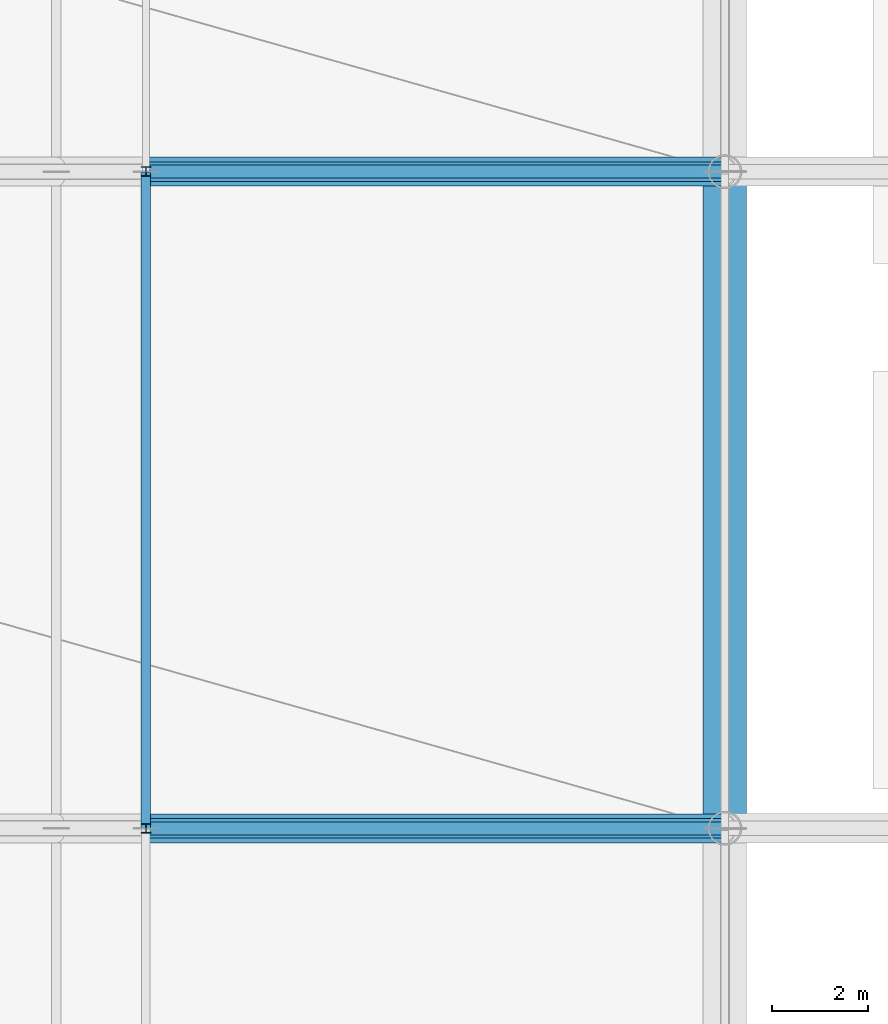
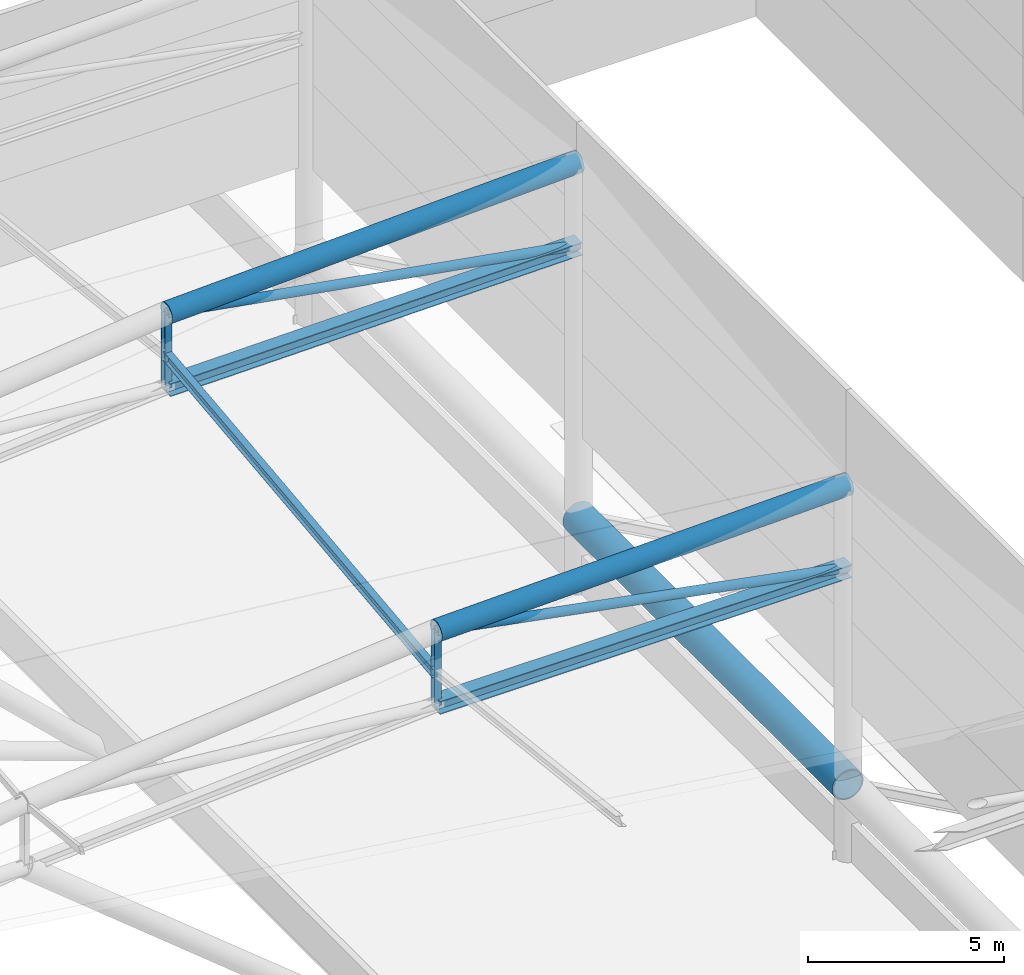
# One storey, part 51 of 113: 9 members, 1 beam.
"""IFC4 building model written with IfcOpenShell, lengths in metres."""

import ifcopenshell
import ifcopenshell.guid

model = None  # the IFC model being written
_history = None  # IfcOwnerHistory: only IFC2X3 demands one
_inside = {}  # id of a spatial element -> (the spatial element, [elements in it])
_under = {}  # id of a project, library or spatial element -> (it, [spatial elements below it])
_declared = {}  # id of a project -> (the project, [libraries it declares])
_typed = {}  # id of a type object -> (the type object, [elements of that type])
_made_of = {}  # id of a material, layer set ... -> (it, [elements and type objects made of it])


def new_model(schema):
    """Start an empty IFC model of exactly this schema.

    Asked for "IFC4X3", IfcOpenShell would pick the latest addendum, in which some entities
    have other attributes; the version numbers below select the first issue.
    IFC2X3 requires an IfcOwnerHistory on every rooted entity: one is made here for all.
    """
    global model, _history
    if schema == "IFC4X3":
        model = ifcopenshell.file(schema_version=(4, 3, 0, 0))
    else:
        model = ifcopenshell.file(schema=schema)
    _inside.clear()
    _under.clear()
    _declared.clear()
    _typed.clear()
    _made_of.clear()
    _history = None
    if model.schema == "IFC2X3":
        org = make("IfcOrganization", Name="unknown")
        user = make(
            "IfcPersonAndOrganization",
            ThePerson=make("IfcPerson", FamilyName="unknown"),
            TheOrganization=org,
        )
        app = make(
            "IfcApplication",
            ApplicationDeveloper=org,
            Version="unknown",
            ApplicationFullName="unknown",
            ApplicationIdentifier="unknown",
        )
        _history = make(
            "IfcOwnerHistory",
            OwningUser=user,
            OwningApplication=app,
            ChangeAction="ADDED",
            CreationDate=0,
        )
    return model


def make(cls, **values):
    """One entity of the class cls with the attributes given. An attribute that is None is left unset."""
    return model.create_entity(
        cls, **{name: value for name, value in values.items() if value is not None}
    )


def rooted(cls, **values):
    """An entity with a GlobalId (a new one), such as an element, a storey or a relation."""
    return make(cls, GlobalId=ifcopenshell.guid.new(), OwnerHistory=_history, **values)


def si_unit(unit_type, name, prefix=None):
    """IfcSIUnit, for example si_unit("LENGTHUNIT", "METRE", prefix="MILLI")."""
    return make("IfcSIUnit", UnitType=unit_type, Prefix=prefix, Name=name)


def assignment(units):
    """IfcUnitAssignment: the units of a project."""
    return None if units is None else make("IfcUnitAssignment", Units=units)


def point(xyz):
    """IfcCartesianPoint."""
    return None if xyz is None else make("IfcCartesianPoint", Coordinates=xyz)


def direction(xyz):
    """IfcDirection."""
    return None if xyz is None else make("IfcDirection", DirectionRatios=xyz)


def frame(location, z_axis=None, x_axis=None):
    """IfcAxis2Placement3D, a coordinate frame: its origin and axes. An axis left out is left unset."""
    return make(
        "IfcAxis2Placement3D",
        Location=point(location),
        Axis=direction(z_axis),
        RefDirection=direction(x_axis),
    )


def frame_2d(location, x_axis=None):
    """IfcAxis2Placement2D, a coordinate frame in the plane: its origin and x axis."""
    return make(
        "IfcAxis2Placement2D", Location=point(location), RefDirection=direction(x_axis)
    )


def origin():
    """The frame at (0, 0, 0) with its axes left unset."""
    return frame((0.0, 0.0, 0.0))


def origin_2d():
    """The frame at (0, 0) in the plane with its x axis left unset."""
    return frame_2d((0.0, 0.0))


def place(relative_to, where):
    """IfcLocalPlacement: puts the frame where relative to a parent placement (None: the world)."""
    return make(
        "IfcLocalPlacement", PlacementRelTo=relative_to, RelativePlacement=where
    )


def context(
    kind, dimensions, precision=None, world=None, true_north=None, identifier=None
):
    """IfcGeometricRepresentationContext, for example the 3D "Model" context."""
    return make(
        "IfcGeometricRepresentationContext",
        ContextIdentifier=identifier,
        ContextType=kind,
        CoordinateSpaceDimension=dimensions,
        Precision=precision,
        WorldCoordinateSystem=world,
        TrueNorth=true_north,
    )


def subcontext(parent, identifier, kind, view, scale=None):
    """IfcGeometricRepresentationSubContext, for example "Body" below "Model"."""
    return make(
        "IfcGeometricRepresentationSubContext",
        ContextIdentifier=identifier,
        ContextType=kind,
        ParentContext=parent,
        TargetScale=scale,
        TargetView=view,
    )


def project(units=None, contexts=None):
    """IfcProject with its units and contexts."""
    return rooted(
        "IfcProject",
        Name="project",
        RepresentationContexts=contexts,
        UnitsInContext=assignment(units),
    )


def spatial(cls, under=None, at=None, **own):
    """A site, building, storey or space (cls), placed at a placement, below another one or the project."""
    s = rooted(cls, ObjectPlacement=at, **own)
    if under is not None:
        _under.setdefault(under.id(), (under, []))[1].append(s)
    return s


def profile(cls, at=None, kind="AREA", **sizes):
    """A parametric profile (cls). Its sizes go by their IFC names, for example OverallWidth=200.0."""
    return make(cls, ProfileType=kind, Position=at, **sizes)


def hollow_circle(**sizes):
    """IfcCircleHollowProfileDef."""
    return profile("IfcCircleHollowProfileDef", **sizes)


def i_section(**sizes):
    """IfcIShapeProfileDef."""
    return profile("IfcIShapeProfileDef", **sizes)


def extrude(swept, where, along, depth):
    """IfcExtrudedAreaSolid: the profile swept, set in the frame where, extruded along a direction by depth."""
    return make(
        "IfcExtrudedAreaSolid",
        SweptArea=swept,
        Position=where,
        ExtrudedDirection=direction(along),
        Depth=depth,
    )


def shape(context_of_items, identifier, shape_type, items):
    """IfcShapeRepresentation: the items that make up one representation, for example the "Body"."""
    return make(
        "IfcShapeRepresentation",
        ContextOfItems=context_of_items,
        RepresentationIdentifier=identifier,
        RepresentationType=shape_type,
        Items=items,
    )


def material(Name=None, Category=None):
    """IfcMaterial."""
    return make("IfcMaterial", Name=Name, Category=Category)


def material_profile(
    of_material, cross_section, Name=None, Category=None, Priority=None
):
    """IfcMaterialProfile: a cross section and its material."""
    return make(
        "IfcMaterialProfile",
        Name=Name,
        Material=of_material,
        Profile=cross_section,
        Priority=Priority,
        Category=Category,
    )


def profile_set(profiles, Name=None, composite=None):
    """IfcMaterialProfileSet."""
    return make(
        "IfcMaterialProfileSet",
        Name=Name,
        MaterialProfiles=profiles,
        CompositeProfile=composite,
    )


def made_of(thing, what):
    """Note that an element or type object is made of a material, layer set ...; save() writes the relation."""
    if what is not None:
        _made_of.setdefault(what.id(), (what, []))[1].append(thing)
    return thing


def type_object(cls, material=None, **own):
    """A type object (cls), such as IfcWallType, which elements share."""
    return made_of(rooted(cls, **own), material)


def element(
    cls,
    number,
    at=None,
    inside=None,
    cuts=None,
    type_object=None,
    material=None,
    context=None,
    identifier="Body",
    shape_type=None,
    held_by="IfcProductDefinitionShape",
    body=None,
    shapes=None,
    **own,
):
    """One element of the class cls, such as IfcWall. Its Tag is "e" and its number.

    at: its placement. inside: the storey or other place that contains it. cuts: it is an
    opening in that element (IfcRelVoidsElement). A single representation is given by context,
    identifier, shape_type and body (its items); several are given by shapes. held_by: the class
    of the entity that holds the representations. save() writes the other relations.
    """
    e = rooted(cls, Tag="e%d" % number, ObjectPlacement=at, **own)
    if body is not None:
        shapes = [shape(context, identifier, shape_type, body)]
    if shapes is not None:
        e.Representation = make(held_by, Representations=shapes)
    if inside is not None:
        _inside.setdefault(inside.id(), (inside, []))[1].append(e)
    if cuts is not None:
        rooted(
            "IfcRelVoidsElement", RelatingBuildingElement=cuts, RelatedOpeningElement=e
        )
    if type_object is not None:
        _typed.setdefault(type_object.id(), (type_object, []))[1].append(e)
    return made_of(e, material)


def aggregate(whole, parts):
    """IfcRelAggregates: a whole, such as a stair, and the parts it consists of."""
    return rooted("IfcRelAggregates", RelatingObject=whole, RelatedObjects=parts)


def save(model, path):
    """Write the relations noted so far, then the file.

    IfcRelAggregates (storeys below a building ...), IfcRelContainedInSpatialStructure (elements
    in a storey), IfcRelDefinesByType, IfcRelAssociatesMaterial and IfcRelDeclares: one each for
    every whole, place, type object, material and project.
    """
    for whole, parts in _under.values():
        aggregate(whole, parts)
    for where, things in _inside.values():
        rooted(
            "IfcRelContainedInSpatialStructure",
            RelatedElements=things,
            RelatingStructure=where,
        )
    for kind, things in _typed.values():
        rooted("IfcRelDefinesByType", RelatedObjects=things, RelatingType=kind)
    for what, things in _made_of.values():
        rooted("IfcRelAssociatesMaterial", RelatedObjects=things, RelatingMaterial=what)
    for by, libraries in _declared.values():
        rooted("IfcRelDeclares", RelatingContext=by, RelatedDefinitions=libraries)
    model.write(path)


model = new_model("IFC4")

# Units and contexts
model_context = context("Model", 3, precision=1e-05, world=origin(), true_north=direction((0.0, 1.0)))
body_context = subcontext(model_context, "Body", "Model", "MODEL_VIEW")
ifc_project = project(units=[si_unit("LENGTHUNIT", "METRE"), si_unit("AREAUNIT", "SQUARE_METRE"), si_unit("VOLUMEUNIT", "CUBIC_METRE"), si_unit("PLANEANGLEUNIT", "RADIAN"), si_unit("MASSUNIT", "GRAM", prefix="KILO")], contexts=[model_context])

# Site, building, storey
site_placement = place(None, origin())
site = spatial("IfcSite", under=ifc_project, at=site_placement, CompositionType="ELEMENT")
building_placement = place(site_placement, origin())
building = spatial("IfcBuilding", under=site, at=building_placement, Name="Linyun Crest Stadium", CompositionType="ELEMENT")
storey_placement = place(building_placement, frame((0.0, 0.0, 26.39990234375)))
storey = spatial("IfcBuildingStorey", under=building, at=storey_placement, Name="L06", CompositionType="ELEMENT", Elevation=26.39990234375)

# Beam
ifc_material_1 = material(Name="Steel Q420C", Category="steel")
ifc_material_profile_1 = material_profile(ifc_material_1, hollow_circle(Radius=0.45703125, WallThickness=0.0380859375, at=origin_2d()), Name="CHS 914x38")
ifc_profile_set_1 = profile_set([ifc_material_profile_1], Name="Steel Q420C")
beam_type = type_object("IfcBeamType", Name="HB02", PredefinedType="USERDEFINED", material=ifc_profile_set_1)
beam_placement = place(storey_placement, frame((84.0, 15.875, 2.18505859375), z_axis=(0.0, 1.0, 0.0), x_axis=(-1.0, 0.0, 0.0)))
element("IfcBeam", 1, at=beam_placement, inside=storey, type_object=beam_type, Name="Roof Outer compression ring beam HB02 V2 26", ObjectType="RING BEAM", PredefinedType="USERDEFINED", context=body_context, shape_type="SweptSolid", body=[
    extrude(hollow_circle(Radius=0.45703125, WallThickness=0.0380859375, at=origin_2d()), origin(), (0.0, 0.0, 1.0), 13.75),
])

# Members
ifc_material_2 = material(Name="Steel Q355B", Category="steel")
ifc_material_profile_2 = material_profile(ifc_material_2, i_section(OverallWidth=0.199951171875, OverallDepth=0.2939453125, WebThickness=0.008056640625, FlangeThickness=0.011962890625, at=origin_2d()), Name="HM 294x200")
ifc_profile_set_2 = profile_set([ifc_material_profile_2], Name="Steel Q355B")
member_type_1 = type_object("IfcMemberType", Name="PR06", PredefinedType="PURLIN", material=ifc_profile_set_2)
member_1_placement = place(storey_placement, frame((71.875, 15.875, 9.9169921875), z_axis=(0.0, 0.993690086648, 0.112160651293), x_axis=(-1.0, 0.0, 0.0)))
element("IfcMember", 2, at=member_1_placement, inside=storey, type_object=member_type_1, Name="Roof canopy purlin PR06 V2 353", PredefinedType="PURLIN", context=body_context, shape_type="SweptSolid", body=[
    extrude(i_section(OverallWidth=0.199951171875, OverallDepth=0.2939453125, WebThickness=0.008056640625, FlangeThickness=0.011962890625, at=origin_2d()), origin(), (0.0, 0.0, 1.0), 13.83740234375),
])
ifc_material_3 = material(Name="Steel Q420C", Category="steel")
ifc_material_profile_3 = material_profile(ifc_material_3, hollow_circle(Radius=0.304931640625, WallThickness=0.030029296875, at=origin_2d()), Name="CHS 610x30")
ifc_profile_set_3 = profile_set([ifc_material_profile_3], Name="Steel Q420C")
member_type_2 = type_object("IfcMemberType", Name="TC02", PredefinedType="CHORD", material=ifc_profile_set_3)
member_2_placement = place(storey_placement, frame((84.0, 15.875, 11.550048828125), z_axis=(-0.999641070748, 0.0, -0.026790477311), x_axis=(0.0, -1.0, 0.0)))
element("IfcMember", 3, at=member_2_placement, inside=storey, type_object=member_type_2, Name="Roof truss top chord TC02 V2 278", PredefinedType="CHORD", context=body_context, shape_type="SweptSolid", body=[
    extrude(hollow_circle(Radius=0.304931640625, WallThickness=0.030029296875, at=origin_2d()), origin(), (0.0, 0.0, 1.0), 12.12939453125),
])
member_3_placement = place(storey_placement, frame((84.0, 29.625, 13.25), z_axis=(-0.999237147613, 0.0, -0.039052821028), x_axis=(0.0, -1.0, 0.0)))
element("IfcMember", 4, at=member_3_placement, inside=storey, type_object=member_type_2, Name="Roof truss top chord TC02 V2 297", PredefinedType="CHORD", context=body_context, shape_type="SweptSolid", body=[
    extrude(hollow_circle(Radius=0.304931640625, WallThickness=0.030029296875, at=origin_2d()), origin(), (0.0, 0.0, 1.0), 12.13427734375),
])
ifc_material_4 = material(Name="Steel Q420C", Category="steel")
ifc_material_profile_4 = material_profile(ifc_material_4, i_section(OverallWidth=0.407958984375, OverallDepth=0.39990234375, WebThickness=0.02099609375, FlangeThickness=0.02099609375, at=origin_2d()), Name="HW 400x408")
ifc_profile_set_4 = profile_set([ifc_material_profile_4], Name="Steel Q420C")
member_type_3 = type_object("IfcMemberType", Name="TC04", PredefinedType="CHORD", material=ifc_profile_set_4)
member_4_placement = place(storey_placement, frame((84.0, 15.875, 8.9501953125), z_axis=(-0.999999408883, 0.0, -0.001087306058), x_axis=(0.0, -1.0, 0.0)))
element("IfcMember", 5, at=member_4_placement, inside=storey, type_object=member_type_3, Name="Roof truss bottom chord TC04 V2 279", PredefinedType="CHORD", context=body_context, shape_type="SweptSolid", body=[
    extrude(i_section(OverallWidth=0.407958984375, OverallDepth=0.39990234375, WebThickness=0.02099609375, FlangeThickness=0.02099609375, at=origin_2d()), origin(), (0.0, 0.0, 1.0), 12.125),
])
member_5_placement = place(storey_placement, frame((84.0, 29.625, 10.650146484375), z_axis=(-0.999910635598, 0.0, -0.013368650573), x_axis=(0.0, -1.0, 0.0)))
element("IfcMember", 6, at=member_5_placement, inside=storey, type_object=member_type_3, Name="Roof truss bottom chord TC04 V2 298", PredefinedType="CHORD", context=body_context, shape_type="SweptSolid", body=[
    extrude(i_section(OverallWidth=0.407958984375, OverallDepth=0.39990234375, WebThickness=0.02099609375, FlangeThickness=0.02099609375, at=origin_2d()), origin(), (0.0, 0.0, 1.0), 12.1259765625),
])
ifc_material_5 = material(Name="Steel Q355C", Category="steel")
ifc_material_profile_5 = material_profile(ifc_material_5, hollow_circle(Radius=0.136474609375, WallThickness=0.013916015625, at=origin_2d()), Name="CHS 273x14")
ifc_profile_set_5 = profile_set([ifc_material_profile_5], Name="Steel Q355C")
member_type_4 = type_object("IfcMemberType", Name="TD01", PredefinedType="BRACE", material=ifc_profile_set_5)
member_6_placement = place(storey_placement, frame((84.0, 15.875, 8.9501953125), z_axis=(-0.982850672616, 0.0, 0.184403241129), x_axis=(0.0, -1.0, 0.0)))
element("IfcMember", 7, at=member_6_placement, inside=storey, type_object=member_type_4, Name="Roof truss diagonal TD01 V2 280", PredefinedType="BRACE", context=body_context, shape_type="SweptSolid", body=[
    extrude(hollow_circle(Radius=0.136474609375, WallThickness=0.013916015625, at=origin_2d()), origin(), (0.0, 0.0, 1.0), 12.336669921875),
])
member_7_placement = place(storey_placement, frame((84.0, 29.625, 10.650146484375), z_axis=(-0.98497383844, 0.0, 0.172703611975), x_axis=(0.0, -1.0, 0.0)))
element("IfcMember", 8, at=member_7_placement, inside=storey, type_object=member_type_4, Name="Roof truss diagonal TD01 V2 299", PredefinedType="BRACE", context=body_context, shape_type="SweptSolid", body=[
    extrude(hollow_circle(Radius=0.136474609375, WallThickness=0.013916015625, at=origin_2d()), origin(), (0.0, 0.0, 1.0), 12.31005859375),
])
ifc_material_6 = material(Name="Steel Q355C", Category="steel")
ifc_material_profile_6 = material_profile(ifc_material_6, i_section(OverallWidth=0.199951171875, OverallDepth=0.199951171875, WebThickness=0.008056640625, FlangeThickness=0.011962890625, at=origin_2d()), Name="HW 200x200")
ifc_profile_set_6 = profile_set([ifc_material_profile_6], Name="Steel Q355C")
member_type_5 = type_object("IfcMemberType", Name="TV02", PredefinedType="STRUT", material=ifc_profile_set_6)
for number, where, z_axis, x_axis, name in (
    (9, (71.875, 15.875, 8.93701171875), (0.0, 0.0, 1.0), (1.0, 0.0, 0.0), "Roof vertical strut TV02 V2 284"),
    (10, (71.875, 29.625, 10.488037109375), (0.0, 0.0, 1.0), (1.0, 0.0, 0.0), "Roof vertical strut TV02 V2 303"),
):
    element("IfcMember", number, at=place(storey_placement, frame(where, z_axis=z_axis, x_axis=x_axis)), inside=storey, type_object=member_type_5, Name=name, PredefinedType="STRUT", context=body_context, shape_type="SweptSolid", body=[
        extrude(i_section(OverallWidth=0.199951171875, OverallDepth=0.199951171875, WebThickness=0.008056640625, FlangeThickness=0.011962890625, at=origin_2d()), origin(), (0.0, 0.0, 1.0), 2.2880859375),
    ])

save(model, "model.ifc")
